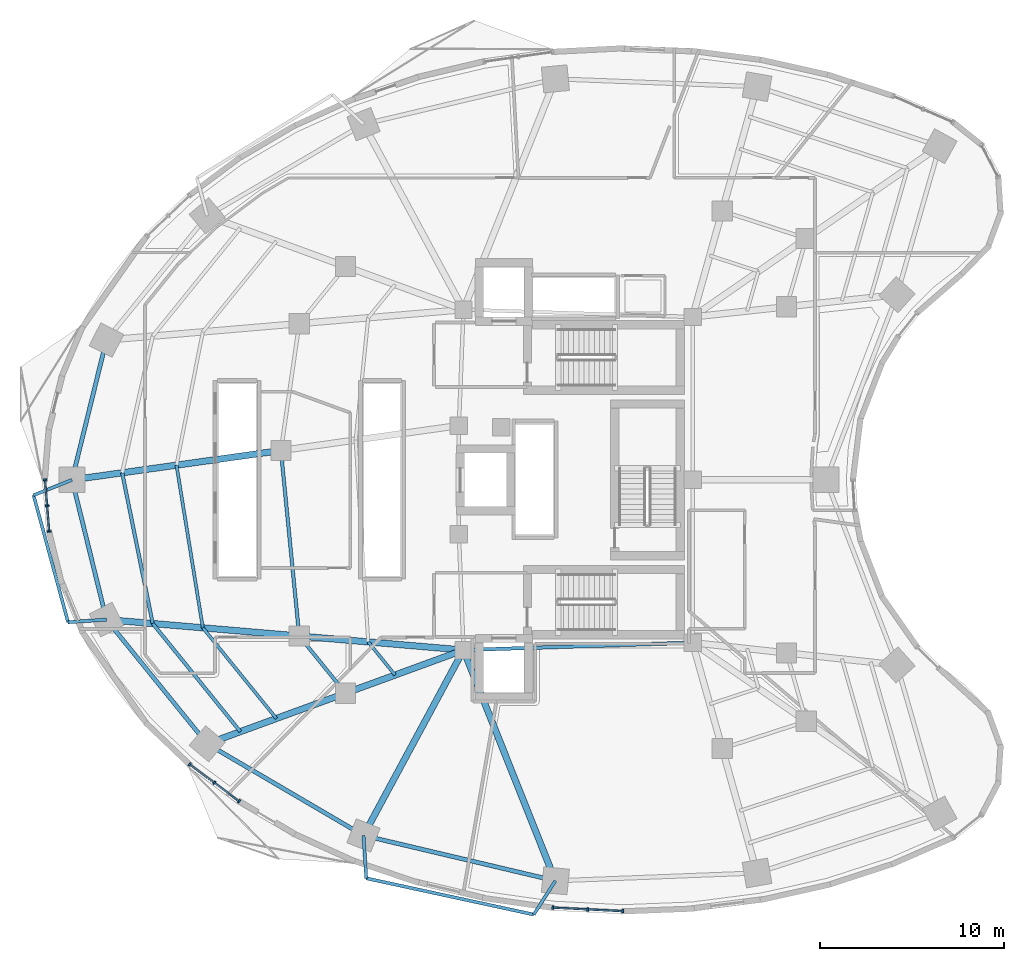
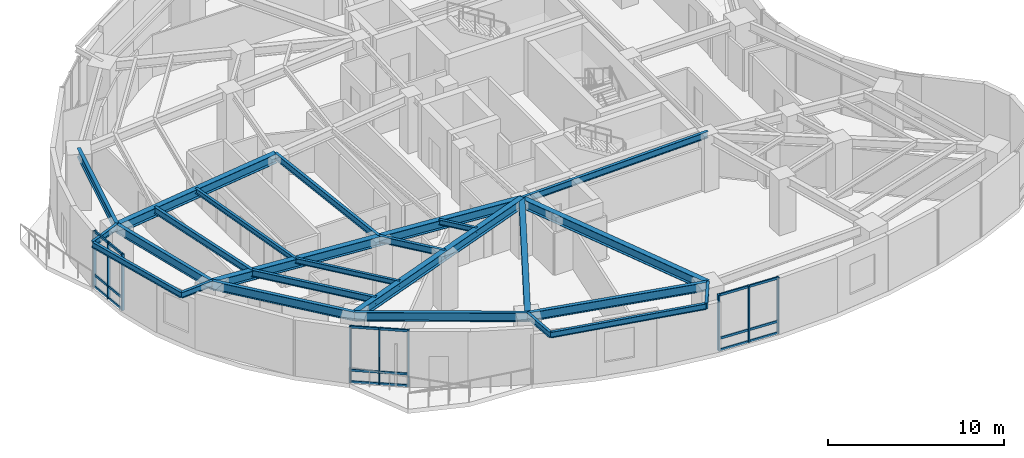
# One storey, part 2 of 14: 27 members, 26 beams, 3 elements without a shape of their own.
"""IFC4 building model written with IfcOpenShell, lengths in metres."""

from ifc_helpers import new_model, si_unit, direction, frame, origin, origin_2d, place, context, subcontext, project, spatial, rectangle, i_section, extrude, material, layer, layer_set, material_profile, profile_set, type_object, element, aggregate, save


model = new_model("IFC4")

# Units and contexts
model_context = context("Model", 3, precision=1e-05, world=origin(), true_north=direction((0.0, 1.0)))
body_context = subcontext(model_context, "Body", "Model", "MODEL_VIEW")
ifc_project = project(units=[si_unit("LENGTHUNIT", "METRE"), si_unit("AREAUNIT", "SQUARE_METRE"), si_unit("VOLUMEUNIT", "CUBIC_METRE"), si_unit("PLANEANGLEUNIT", "RADIAN"), si_unit("MASSUNIT", "GRAM", prefix="KILO")], contexts=[model_context])

# Site, building, storey
site_placement = place(None, origin())
site = spatial("IfcSite", under=ifc_project, at=site_placement, CompositionType="ELEMENT")
building_placement = place(site_placement, origin())
building = spatial("IfcBuilding", under=site, at=building_placement, Name="Korentha Bioscience Tower", CompositionType="ELEMENT")
storey_placement = place(building_placement, frame((0.0, 0.0, 51.0)))
storey = spatial("IfcBuildingStorey", under=building, at=storey_placement, Name="L11", CompositionType="ELEMENT", Elevation=51.0)

# Beams
ifc_material_1 = material(Name="Steel S355", Category="steel")
ifc_material_profile_1 = material_profile(ifc_material_1, i_section(OverallWidth=0.18994140625, OverallDepth=0.45703125, WebThickness=0.009033203125, FlangeThickness=0.014404296875, at=origin_2d()), Name="Steel S355")
ifc_profile_set_1 = profile_set([ifc_material_profile_1], Name="Steel S355 (MB-460)")
beam_type_1 = type_object("IfcBeamType", Name="Mid-Ring Tie Girder W460x74", PredefinedType="BEAM", material=ifc_profile_set_1)
beam_1_placement = place(storey_placement, frame((15.1787109375, 28.593505859375, 3.67138671875), z_axis=(0.098243909277, -0.995162365793, 0.0), x_axis=(0.995162365793, 0.098243909277, 0.0)))
element("IfcBeam", 1, at=beam_1_placement, inside=storey, type_object=beam_type_1, Name="L11 Mid-Ring Tie Girder 07", PredefinedType="BEAM", context=body_context, shape_type="SweptSolid", body=[
    extrude(i_section(OverallWidth=0.18994140625, OverallDepth=0.45703125, WebThickness=0.009033203125, FlangeThickness=0.014404296875, at=origin_2d()), origin(), (0.0, 0.0, 1.0), 10.131591796875),
])
beam_2_placement = place(storey_placement, frame((16.174072265625, 18.510986328125, 3.67138671875), z_axis=(0.629790009744, -0.776765436684, 0.0), x_axis=(0.776765436684, 0.629790009744, 0.0)))
element("IfcBeam", 2, at=beam_2_placement, inside=storey, type_object=beam_type_1, Name="L11 Mid-Ring Tie Girder 08", PredefinedType="BEAM", context=body_context, shape_type="SweptSolid", body=[
    extrude(i_section(OverallWidth=0.18994140625, OverallDepth=0.45703125, WebThickness=0.009033203125, FlangeThickness=0.014404296875, at=origin_2d()), origin(), (0.0, 0.0, 1.0), 3.998291015625),
])
beam_3_placement = place(storey_placement, frame((25.10009765625, 17.75, 3.67138671875), z_axis=(0.999484526071, 0.032104238723, 0.0), x_axis=(-0.032104238723, 0.999484526071, 0.0)))
element("IfcBeam", 3, at=beam_3_placement, inside=storey, type_object=beam_type_1, Name="L11 Core Ring Tie Girder 05", PredefinedType="BEAM", context=body_context, shape_type="SweptSolid", body=[
    extrude(i_section(OverallWidth=0.18994140625, OverallDepth=0.45703125, WebThickness=0.009033203125, FlangeThickness=0.014404296875, at=origin_2d()), origin(), (0.0, 0.0, 1.0), 12.456298828125),
])

# Curtain wall, members
ifc_material_2 = material(Name="Thermally Broken Aluminium Frame", Category="aluminium")
ifc_layer = layer(ifc_material_2, 0.219970703125, Name="Thermally Broken Aluminium Frame")
ifc_layer_set = layer_set([ifc_layer], Name="Thermally Broken Aluminium Frame (CW-T1)")
curtain_wall_type = type_object("IfcCurtainWallType", Name="Standard Bioscience Lab Unitised Curtain Wall CW-T1", PredefinedType="USERDEFINED", material=ifc_layer_set)
curtain_wall_1_placement = place(storey_placement, origin())
curtain_wall_1 = element("IfcCurtainWall", 4, at=curtain_wall_1_placement, inside=storey, type_object=curtain_wall_type, Name="L11 Curtain Wall 19", ObjectType="UNITISED", PredefinedType="USERDEFINED")
ifc_material_3 = material(Name="Anodised Aluminium 6063-T6", Category="aluminium")
ifc_material_profile_2 = material_profile(ifc_material_3, rectangle(XDim=0.090087890625, YDim=0.199951171875, at=origin_2d()), Name="Anodised Aluminium 6063-T6")
ifc_profile_set_2 = profile_set([ifc_material_profile_2], Name="Anodised Aluminium 6063-T6 (CW-MUL)")
member_type_1 = type_object("IfcMemberType", Name="Mullion RECT 90x200", PredefinedType="MULLION", material=ifc_profile_set_2)
member_1_placement = place(storey_placement, frame((2.35986328125, 27.0078125, 0.0), z_axis=(0.0, 0.0, 1.0), x_axis=(0.080820466375, -0.996728675325, 0.0)))
member_1 = element("IfcMember", 5, at=member_1_placement, type_object=member_type_1, Name="CW-L11-19 Mullion 1", PredefinedType="MULLION", context=body_context, shape_type="SweptSolid", body=[
    extrude(rectangle(XDim=0.090087890625, YDim=0.199951171875, at=origin_2d()), origin(), (0.0, 0.0, 1.0), 3.89990234375),
])
member_2_placement = place(storey_placement, frame((2.474365234375, 25.597412109375, 0.0), z_axis=(0.0, 0.0, 1.0), x_axis=(0.080820466375, -0.996728675325, 0.0)))
member_2 = element("IfcMember", 6, at=member_2_placement, type_object=member_type_1, Name="CW-L11-19 Mullion 2", PredefinedType="MULLION", context=body_context, shape_type="SweptSolid", body=[
    extrude(rectangle(XDim=0.090087890625, YDim=0.199951171875, at=origin_2d()), origin(), (0.0, 0.0, 1.0), 3.89990234375),
])
member_3_placement = place(storey_placement, frame((2.588623046875, 24.187255859375, 0.0), z_axis=(0.0, 0.0, 1.0), x_axis=(0.080820466375, -0.996728675325, 0.0)))
member_3 = element("IfcMember", 7, at=member_3_placement, type_object=member_type_1, Name="CW-L11-19 Mullion 3", PredefinedType="MULLION", context=body_context, shape_type="SweptSolid", body=[
    extrude(rectangle(XDim=0.090087890625, YDim=0.199951171875, at=origin_2d()), origin(), (0.0, 0.0, 1.0), 3.89990234375),
])

curtain_wall_2_placement = place(storey_placement, origin())
curtain_wall_2 = element("IfcCurtainWall", 8, at=curtain_wall_2_placement, inside=storey, type_object=curtain_wall_type, Name="L11 Curtain Wall 25", ObjectType="UNITISED", PredefinedType="USERDEFINED")
member_4_placement = place(storey_placement, frame((10.2216796875, 11.538818359375, 0.0), z_axis=(0.0, 0.0, 1.0), x_axis=(0.800797909614, -0.598934644145, 0.0)))
member_4 = element("IfcMember", 9, at=member_4_placement, type_object=member_type_1, Name="CW-L11-25 Mullion 1", PredefinedType="MULLION", context=body_context, shape_type="SweptSolid", body=[
    extrude(rectangle(XDim=0.090087890625, YDim=0.199951171875, at=origin_2d()), origin(), (0.0, 0.0, 1.0), 3.89990234375),
])
member_5_placement = place(storey_placement, frame((11.5634765625, 10.53515625, 0.0), z_axis=(0.0, 0.0, 1.0), x_axis=(0.800797909614, -0.598934644145, 0.0)))
member_5 = element("IfcMember", 10, at=member_5_placement, type_object=member_type_1, Name="CW-L11-25 Mullion 2", PredefinedType="MULLION", context=body_context, shape_type="SweptSolid", body=[
    extrude(rectangle(XDim=0.090087890625, YDim=0.199951171875, at=origin_2d()), origin(), (0.0, 0.0, 1.0), 3.89990234375),
])
member_6_placement = place(storey_placement, frame((12.9052734375, 9.53173828125, 0.0), z_axis=(0.0, 0.0, 1.0), x_axis=(0.800797909614, -0.598934644145, 0.0)))
member_6 = element("IfcMember", 11, at=member_6_placement, type_object=member_type_1, Name="CW-L11-25 Mullion 3", PredefinedType="MULLION", context=body_context, shape_type="SweptSolid", body=[
    extrude(rectangle(XDim=0.090087890625, YDim=0.199951171875, at=origin_2d()), origin(), (0.0, 0.0, 1.0), 3.89990234375),
])

curtain_wall_3_placement = place(storey_placement, origin())
curtain_wall_3 = element("IfcCurtainWall", 12, at=curtain_wall_3_placement, inside=storey, type_object=curtain_wall_type, Name="L11 Curtain Wall 31", ObjectType="UNITISED", PredefinedType="USERDEFINED")
member_7_placement = place(storey_placement, frame((29.9541015625, 3.75244140625, 0.0), z_axis=(0.0, 0.0, 1.0), x_axis=(0.998730551641, -0.050371472279, 0.0)))
member_7 = element("IfcMember", 13, at=member_7_placement, type_object=member_type_1, Name="CW-L11-31 Mullion 1", PredefinedType="MULLION", context=body_context, shape_type="SweptSolid", body=[
    extrude(rectangle(XDim=0.090087890625, YDim=0.199951171875, at=origin_2d()), origin(), (0.0, 0.0, 1.0), 3.89990234375),
])
member_8_placement = place(storey_placement, frame((31.855224609375, 3.656494140625, 0.0), z_axis=(0.0, 0.0, 1.0), x_axis=(0.998730551641, -0.050371472279, 0.0)))
member_8 = element("IfcMember", 14, at=member_8_placement, type_object=member_type_1, Name="CW-L11-31 Mullion 2", PredefinedType="MULLION", context=body_context, shape_type="SweptSolid", body=[
    extrude(rectangle(XDim=0.090087890625, YDim=0.199951171875, at=origin_2d()), origin(), (0.0, 0.0, 1.0), 3.89990234375),
])
member_9_placement = place(storey_placement, frame((33.75634765625, 3.560791015625, 0.0), z_axis=(0.0, 0.0, 1.0), x_axis=(0.998730551641, -0.050371472279, 0.0)))
member_9 = element("IfcMember", 15, at=member_9_placement, type_object=member_type_1, Name="CW-L11-31 Mullion 3", PredefinedType="MULLION", context=body_context, shape_type="SweptSolid", body=[
    extrude(rectangle(XDim=0.090087890625, YDim=0.199951171875, at=origin_2d()), origin(), (0.0, 0.0, 1.0), 3.89990234375),
])

# Beams
ifc_material_profile_3 = material_profile(ifc_material_1, i_section(OverallWidth=0.22802734375, OverallDepth=0.60791015625, WebThickness=0.01123046875, FlangeThickness=0.017333984375, at=origin_2d()), Name="Steel S355")
ifc_profile_set_3 = profile_set([ifc_material_profile_3], Name="Steel S355 (SB-610)")
beam_type_2 = type_object("IfcBeamType", Name="Perimeter Ring Spandrel Girder W610x113", PredefinedType="SPANDREL", material=ifc_profile_set_3)
beam_4_placement = place(storey_placement, frame((5.69580078125, 34.595703125, 3.595947265625), z_axis=(-0.239119105624, -0.970990243682, 0.0), x_axis=(0.970990243682, -0.239119105624, 0.0)))
element("IfcBeam", 16, at=beam_4_placement, inside=storey, type_object=beam_type_2, Name="L11 Perimeter Spandrel Girder 06", PredefinedType="SPANDREL", context=body_context, shape_type="SweptSolid", body=[
    extrude(i_section(OverallWidth=0.22802734375, OverallDepth=0.60791015625, WebThickness=0.01123046875, FlangeThickness=0.017333984375, at=origin_2d()), origin(), (0.0, 0.0, 1.0), 7.82177734375),
])
beam_5_placement = place(storey_placement, frame((3.825439453125, 27.000732421875, 3.595947265625), z_axis=(0.23907563132, -0.971000948768, 0.0), x_axis=(0.971000948768, 0.23907563132, 0.0)))
element("IfcBeam", 17, at=beam_5_placement, inside=storey, type_object=beam_type_2, Name="L11 Perimeter Spandrel Girder 07", PredefinedType="SPANDREL", context=body_context, shape_type="SweptSolid", body=[
    extrude(i_section(OverallWidth=0.22802734375, OverallDepth=0.60791015625, WebThickness=0.01123046875, FlangeThickness=0.017333984375, at=origin_2d()), origin(), (0.0, 0.0, 1.0), 7.8232421875),
])
beam_6_placement = place(storey_placement, frame((5.69580078125, 19.404296875, 3.595947265625), z_axis=(0.629799210231, -0.776757976974, 0.0), x_axis=(0.776757976974, 0.629799210231, 0.0)))
element("IfcBeam", 18, at=beam_6_placement, inside=storey, type_object=beam_type_2, Name="L11 Perimeter Spandrel Girder 08", PredefinedType="SPANDREL", context=body_context, shape_type="SweptSolid", body=[
    extrude(i_section(OverallWidth=0.22802734375, OverallDepth=0.60791015625, WebThickness=0.01123046875, FlangeThickness=0.017333984375, at=origin_2d()), origin(), (0.0, 0.0, 1.0), 8.69189453125),
])
beam_7_placement = place(storey_placement, frame((11.169921875, 12.65283203125, 3.595947265625), z_axis=(0.862656574181, -0.505790109653, 0.0), x_axis=(0.505790109653, 0.862656574181, 0.0)))
element("IfcBeam", 19, at=beam_7_placement, inside=storey, type_object=beam_type_2, Name="L11 Perimeter Spandrel Girder 09", PredefinedType="SPANDREL", context=body_context, shape_type="SweptSolid", body=[
    extrude(i_section(OverallWidth=0.22802734375, OverallDepth=0.60791015625, WebThickness=0.01123046875, FlangeThickness=0.017333984375, at=origin_2d()), origin(), (0.0, 0.0, 1.0), 9.849365234375),
])
beam_8_placement = place(storey_placement, frame((19.66650390625, 7.671142578125, 3.595947265625), z_axis=(0.973207885376, -0.229926970672, 0.0), x_axis=(0.229926970672, 0.973207885376, 0.0)))
element("IfcBeam", 20, at=beam_8_placement, inside=storey, type_object=beam_type_2, Name="L11 Perimeter Spandrel Girder 10", PredefinedType="SPANDREL", context=body_context, shape_type="SweptSolid", body=[
    extrude(i_section(OverallWidth=0.22802734375, OverallDepth=0.60791015625, WebThickness=0.01123046875, FlangeThickness=0.017333984375, at=origin_2d()), origin(), (0.0, 0.0, 1.0), 10.71484375),
])
ifc_material_profile_4 = material_profile(ifc_material_1, i_section(OverallWidth=0.18994140625, OverallDepth=0.45703125, WebThickness=0.009033203125, FlangeThickness=0.014404296875, at=origin_2d()), Name="Steel S355")
ifc_profile_set_4 = profile_set([ifc_material_profile_4], Name="Steel S355 (RB-460)")
beam_type_3 = type_object("IfcBeamType", Name="Radial Laboratory Beam W460x74", PredefinedType="BEAM", material=ifc_profile_set_4)
beam_9_placement = place(storey_placement, frame((6.55029296875, 27.383056640625, 3.67138671875), z_axis=(0.198592296955, -0.980082190222, 0.0), x_axis=(0.980082190222, 0.198592296955, 0.0)))
element("IfcBeam", 21, at=beam_9_placement, inside=storey, type_object=beam_type_3, Name="L11 Secondary Floor Beam JSTO-07", PredefinedType="BEAM", context=body_context, shape_type="SweptSolid", body=[
    extrude(i_section(OverallWidth=0.18994140625, OverallDepth=0.45703125, WebThickness=0.009033203125, FlangeThickness=0.014404296875, at=origin_2d()), origin(), (0.0, 0.0, 1.0), 8.359619140625),
])
beam_10_placement = place(storey_placement, frame((8.21044921875, 19.18994140625, 3.67138671875), z_axis=(0.629797748553, -0.776759162107, 0.0), x_axis=(0.776759162107, 0.629797748553, 0.0)))
element("IfcBeam", 22, at=beam_10_placement, inside=storey, type_object=beam_type_3, Name="L11 Secondary Floor Beam JSTO-08", PredefinedType="BEAM", context=body_context, shape_type="SweptSolid", body=[
    extrude(i_section(OverallWidth=0.18994140625, OverallDepth=0.45703125, WebThickness=0.009033203125, FlangeThickness=0.014404296875, at=origin_2d()), origin(), (0.0, 0.0, 1.0), 7.5654296875),
])
ifc_material_profile_5 = material_profile(ifc_material_1, i_section(OverallWidth=0.35009765625, OverallDepth=0.64990234375, WebThickness=0.01611328125, FlangeThickness=0.02490234375, at=origin_2d()), Name="Steel S355")
ifc_profile_set_5 = profile_set([ifc_material_profile_5], Name="Steel S355 (RB-650)")
beam_type_4 = type_object("IfcBeamType", Name="Radial Laboratory Girder CVS 650x208", PredefinedType="BEAM", material=ifc_profile_set_5)
beam_11_placement = place(storey_placement, frame((15.1787109375, 28.593505859375, 3.574951171875), z_axis=(-0.99030199745, -0.138931471762, 0.0), x_axis=(0.138931471762, -0.99030199745, 0.0)))
element("IfcBeam", 23, at=beam_11_placement, inside=storey, type_object=beam_type_4, Name="L11 Outer Radial Girder 07", PredefinedType="BEAM", context=body_context, shape_type="SweptSolid", body=[
    extrude(i_section(OverallWidth=0.35009765625, OverallDepth=0.64990234375, WebThickness=0.01611328125, FlangeThickness=0.02490234375, at=origin_2d()), origin(), (0.0, 0.0, 1.0), 11.46435546875),
])
beam_12_placement = place(storey_placement, frame((25.10009765625, 17.75, 3.574951171875), z_axis=(-0.996385503026, 0.08494662654, 0.0), x_axis=(-0.08494662654, -0.996385503026, 0.0)))
element("IfcBeam", 24, at=beam_12_placement, inside=storey, type_object=beam_type_4, Name="L11 Inner Radial Girder 08", PredefinedType="BEAM", context=body_context, shape_type="SweptSolid", body=[
    extrude(i_section(OverallWidth=0.35009765625, OverallDepth=0.64990234375, WebThickness=0.01611328125, FlangeThickness=0.02490234375, at=origin_2d()), origin(), (0.0, 0.0, 1.0), 8.95849609375),
])
beam_13_placement = place(storey_placement, frame((16.174072265625, 18.510986328125, 3.574951171875), z_axis=(-0.996385601055, 0.084945476695, 0.0), x_axis=(-0.084945476695, -0.996385601055, 0.0)))
element("IfcBeam", 25, at=beam_13_placement, inside=storey, type_object=beam_type_4, Name="L11 Outer Radial Girder 08", PredefinedType="BEAM", context=body_context, shape_type="SweptSolid", body=[
    extrude(i_section(OverallWidth=0.35009765625, OverallDepth=0.64990234375, WebThickness=0.01611328125, FlangeThickness=0.02490234375, at=origin_2d()), origin(), (0.0, 0.0, 1.0), 10.516357421875),
])
beam_14_placement = place(storey_placement, frame((25.10009765625, 17.75, 3.574951171875), z_axis=(-0.939106237741, -0.343626940498, 0.0), x_axis=(0.343626940498, -0.939106237741, 0.0)))
element("IfcBeam", 26, at=beam_14_placement, inside=storey, type_object=beam_type_4, Name="L11 Inner Radial Girder 09", PredefinedType="BEAM", context=body_context, shape_type="SweptSolid", body=[
    extrude(i_section(OverallWidth=0.35009765625, OverallDepth=0.64990234375, WebThickness=0.01611328125, FlangeThickness=0.02490234375, at=origin_2d()), origin(), (0.0, 0.0, 1.0), 6.823486328125),
])
beam_15_placement = place(storey_placement, frame((18.692138671875, 15.4052734375, 3.574951171875), z_axis=(-0.939106299948, -0.343626770491, 0.0), x_axis=(0.343626770491, -0.939106299948, 0.0)))
element("IfcBeam", 27, at=beam_15_placement, inside=storey, type_object=beam_type_4, Name="L11 Outer Radial Girder 09", PredefinedType="BEAM", context=body_context, shape_type="SweptSolid", body=[
    extrude(i_section(OverallWidth=0.35009765625, OverallDepth=0.64990234375, WebThickness=0.01611328125, FlangeThickness=0.02490234375, at=origin_2d()), origin(), (0.0, 0.0, 1.0), 8.010009765625),
])
beam_16_placement = place(storey_placement, frame((25.10009765625, 17.75, 3.574951171875), z_axis=(-0.47454097106, -0.880233416081, 0.0), x_axis=(0.880233416081, -0.47454097106, 0.0)))
element("IfcBeam", 28, at=beam_16_placement, inside=storey, type_object=beam_type_4, Name="L11 Radial Girder 10", PredefinedType="BEAM", context=body_context, shape_type="SweptSolid", body=[
    extrude(i_section(OverallWidth=0.35009765625, OverallDepth=0.64990234375, WebThickness=0.01611328125, FlangeThickness=0.02490234375, at=origin_2d()), origin(), (0.0, 0.0, 1.0), 11.4501953125),
])
beam_17_placement = place(storey_placement, frame((25.10009765625, 17.75, 3.574951171875), z_axis=(0.369931007413, -0.929059228335, 0.0), x_axis=(0.929059228335, 0.369931007413, 0.0)))
element("IfcBeam", 29, at=beam_17_placement, inside=storey, type_object=beam_type_4, Name="L11 Radial Girder 11", PredefinedType="BEAM", context=body_context, shape_type="SweptSolid", body=[
    extrude(i_section(OverallWidth=0.35009765625, OverallDepth=0.64990234375, WebThickness=0.01611328125, FlangeThickness=0.02490234375, at=origin_2d()), origin(), (0.0, 0.0, 1.0), 13.500244140625),
])
ifc_material_profile_6 = material_profile(ifc_material_1, i_section(OverallWidth=0.1708984375, OverallDepth=0.35498046875, WebThickness=0.007080078125, FlangeThickness=0.01171875, at=origin_2d()), Name="Steel S355")
ifc_profile_set_6 = profile_set([ifc_material_profile_6], Name="Steel S355 (JB-360)")
beam_type_5 = type_object("IfcBeamType", Name="Secondary Laboratory Joist W360x51", PredefinedType="JOIST", material=ifc_profile_set_6)
beam_18_placement = place(storey_placement, frame((9.502197265625, 27.797119140625, 3.722412109375), z_axis=(0.159984999905, -0.987119445561, 0.0), x_axis=(0.987119445561, 0.159984999905, 0.0)))
element("IfcBeam", 30, at=beam_18_placement, inside=storey, type_object=beam_type_5, Name="L11 Secondary Floor Beam JST-07", PredefinedType="JOIST", context=body_context, shape_type="SweptSolid", body=[
    extrude(i_section(OverallWidth=0.1708984375, OverallDepth=0.35498046875, WebThickness=0.007080078125, FlangeThickness=0.01171875, at=origin_2d()), origin(), (0.0, 0.0, 1.0), 8.95458984375),
])
beam_19_placement = place(storey_placement, frame((10.934814453125, 18.957763671875, 3.722412109375), z_axis=(0.629786899984, -0.776767958021, 0.0), x_axis=(0.776767958021, 0.629786899984, 0.0)))
element("IfcBeam", 31, at=beam_19_placement, inside=storey, type_object=beam_type_5, Name="L11 Secondary Floor Beam JST-08", PredefinedType="JOIST", context=body_context, shape_type="SweptSolid", body=[
    extrude(i_section(OverallWidth=0.1708984375, OverallDepth=0.35498046875, WebThickness=0.007080078125, FlangeThickness=0.01171875, at=origin_2d()), origin(), (0.0, 0.0, 1.0), 6.34521484375),
])
beam_20_placement = place(storey_placement, frame((19.9228515625, 18.19140625, 3.722412109375), z_axis=(0.629791657613, -0.776764100613, 0.0), x_axis=(0.776764100613, 0.629791657613, 0.0)))
element("IfcBeam", 32, at=beam_20_placement, inside=storey, type_object=beam_type_5, Name="L11 Inner Bay Joist 08", PredefinedType="JOIST", context=body_context, shape_type="SweptSolid", body=[
    extrude(i_section(OverallWidth=0.1708984375, OverallDepth=0.35498046875, WebThickness=0.007080078125, FlangeThickness=0.01171875, at=origin_2d()), origin(), (0.0, 0.0, 1.0), 2.31884765625),
])
ifc_material_profile_7 = material_profile(ifc_material_1, i_section(OverallWidth=0.177978515625, OverallDepth=0.406982421875, WebThickness=0.0078125, FlangeThickness=0.0126953125, at=origin_2d()), Name="Steel S355")
ifc_profile_set_7 = profile_set([ifc_material_profile_7], Name="Steel S355 (CB-410)")
beam_type_6 = type_object("IfcBeamType", Name="Sun-Ledge Cantilever Beam W410x60", PredefinedType="BEAM", material=ifc_profile_set_7)
beam_21_placement = place(storey_placement, frame((3.825439453125, 27.000732421875, 3.698486328125), z_axis=(-0.928379434426, -0.37163372524, 0.0), x_axis=(0.37163372524, -0.928379434426, 0.0)))
element("IfcBeam", 33, at=beam_21_placement, inside=storey, type_object=beam_type_6, Name="L11 Balcony Cantilever Bracket A-L12-02", PredefinedType="BEAM", context=body_context, shape_type="SweptSolid", body=[
    extrude(i_section(OverallWidth=0.177978515625, OverallDepth=0.406982421875, WebThickness=0.0078125, FlangeThickness=0.0126953125, at=origin_2d()), origin(), (0.0, 0.0, 1.0), 2.251220703125),
])
beam_22_placement = place(storey_placement, frame((5.69580078125, 19.404296875, 3.698486328125), z_axis=(-0.997660928034, -0.068356950445, 0.0), x_axis=(0.068356950445, -0.997660928034, 0.0)))
element("IfcBeam", 34, at=beam_22_placement, inside=storey, type_object=beam_type_6, Name="L11 Balcony Cantilever Bracket B-L12-02", PredefinedType="BEAM", context=body_context, shape_type="SweptSolid", body=[
    extrude(i_section(OverallWidth=0.177978515625, OverallDepth=0.406982421875, WebThickness=0.0078125, FlangeThickness=0.0126953125, at=origin_2d()), origin(), (0.0, 0.0, 1.0), 2.08935546875),
])
beam_23_placement = place(storey_placement, frame((1.7353515625, 26.1640625, 3.698486328125), z_axis=(0.262265332065, -0.964995800818, 0.0), x_axis=(0.964995800818, 0.262265332065, 0.0)))
element("IfcBeam", 35, at=beam_23_placement, inside=storey, type_object=beam_type_6, Name="L11 Balcony Edge Trimmer Beam L12-02", PredefinedType="BEAM", context=body_context, shape_type="SweptSolid", body=[
    extrude(i_section(OverallWidth=0.177978515625, OverallDepth=0.406982421875, WebThickness=0.0078125, FlangeThickness=0.0126953125, at=origin_2d()), origin(), (0.0, 0.0, 1.0), 7.153076171875),
])
beam_24_placement = place(storey_placement, frame((19.66650390625, 7.671142578125, 3.698486328125), z_axis=(0.064092946504, -0.997943933399, 0.0), x_axis=(0.997943933399, 0.064092946504, 0.0)))
element("IfcBeam", 36, at=beam_24_placement, inside=storey, type_object=beam_type_6, Name="L11 Balcony Cantilever Bracket A-L12-03", PredefinedType="BEAM", context=body_context, shape_type="SweptSolid", body=[
    extrude(i_section(OverallWidth=0.177978515625, OverallDepth=0.406982421875, WebThickness=0.0078125, FlangeThickness=0.0126953125, at=origin_2d()), origin(), (0.0, 0.0, 1.0), 2.331298828125),
])
beam_25_placement = place(storey_placement, frame((30.09423828125, 5.20751953125, 3.698486328125), z_axis=(-0.539323950512, -0.842098376916, 0.0), x_axis=(0.842098376916, -0.539323950512, 0.0)))
element("IfcBeam", 37, at=beam_25_placement, inside=storey, type_object=beam_type_6, Name="L11 Balcony Cantilever Bracket B-L12-03", PredefinedType="BEAM", context=body_context, shape_type="SweptSolid", body=[
    extrude(i_section(OverallWidth=0.177978515625, OverallDepth=0.406982421875, WebThickness=0.0078125, FlangeThickness=0.0126953125, at=origin_2d()), origin(), (0.0, 0.0, 1.0), 2.1787109375),
])
beam_26_placement = place(storey_placement, frame((19.81591796875, 5.3447265625, 3.698486328125), z_axis=(0.977333174115, -0.211707030529, 0.0), x_axis=(0.211707030529, 0.977333174115, 0.0)))
element("IfcBeam", 38, at=beam_26_placement, inside=storey, type_object=beam_type_6, Name="L11 Balcony Edge Trimmer Beam L12-03", PredefinedType="BEAM", context=body_context, shape_type="SweptSolid", body=[
    extrude(i_section(OverallWidth=0.177978515625, OverallDepth=0.406982421875, WebThickness=0.0078125, FlangeThickness=0.0126953125, at=origin_2d()), origin(), (0.0, 0.0, 1.0), 9.314453125),
])

# Member
ifc_material_profile_8 = material_profile(ifc_material_3, rectangle(XDim=0.090087890625, YDim=0.159912109375, at=origin_2d()), Name="Anodised Aluminium 6063-T6")
ifc_profile_set_8 = profile_set([ifc_material_profile_8], Name="Anodised Aluminium 6063-T6 (CW-TRN)")
member_type_2 = type_object("IfcMemberType", Name="Transom RECT 90x160", PredefinedType="USERDEFINED", material=ifc_profile_set_8)
member_10_placement = place(storey_placement, frame((2.363525390625, 26.963134765625, 0.044921875), z_axis=(0.080880177847, -0.996723831777, 0.0), x_axis=(0.996723831777, 0.080880177847, 0.0)))
member_10 = element("IfcMember", 39, at=member_10_placement, type_object=member_type_2, Name="CW-L11-19 Bay 1 Transom 1", ObjectType="TRANSOM", PredefinedType="USERDEFINED", context=body_context, shape_type="SweptSolid", body=[
    extrude(rectangle(XDim=0.090087890625, YDim=0.159912109375, at=origin_2d()), origin(), (0.0, 0.0, 1.0), 1.3251953125),
])

member_11_placement = place(storey_placement, frame((2.363525390625, 26.963134765625, 0.85009765625), z_axis=(0.080880177847, -0.996723831777, 0.0), x_axis=(0.996723831777, 0.080880177847, 0.0)))
member_11 = element("IfcMember", 40, at=member_11_placement, type_object=member_type_2, Name="CW-L11-19 Bay 1 Transom 2", ObjectType="TRANSOM", PredefinedType="USERDEFINED", context=body_context, shape_type="SweptSolid", body=[
    extrude(rectangle(XDim=0.090087890625, YDim=0.159912109375, at=origin_2d()), origin(), (0.0, 0.0, 1.0), 1.3251953125),
])

member_12_placement = place(storey_placement, frame((2.363525390625, 26.963134765625, 3.85498046875), z_axis=(0.080880177847, -0.996723831777, 0.0), x_axis=(0.996723831777, 0.080880177847, 0.0)))
member_12 = element("IfcMember", 41, at=member_12_placement, type_object=member_type_2, Name="CW-L11-19 Bay 1 Transom 3", ObjectType="TRANSOM", PredefinedType="USERDEFINED", context=body_context, shape_type="SweptSolid", body=[
    extrude(rectangle(XDim=0.090087890625, YDim=0.159912109375, at=origin_2d()), origin(), (0.0, 0.0, 1.0), 1.3251953125),
])

member_13_placement = place(storey_placement, frame((2.477783203125, 25.552734375, 0.044921875), z_axis=(0.080880177847, -0.996723831777, 0.0), x_axis=(0.996723831777, 0.080880177847, 0.0)))
member_13 = element("IfcMember", 42, at=member_13_placement, type_object=member_type_2, Name="CW-L11-19 Bay 2 Transom 1", ObjectType="TRANSOM", PredefinedType="USERDEFINED", context=body_context, shape_type="SweptSolid", body=[
    extrude(rectangle(XDim=0.090087890625, YDim=0.159912109375, at=origin_2d()), origin(), (0.0, 0.0, 1.0), 1.3251953125),
])

member_14_placement = place(storey_placement, frame((2.477783203125, 25.552734375, 0.85009765625), z_axis=(0.080880177847, -0.996723831777, 0.0), x_axis=(0.996723831777, 0.080880177847, 0.0)))
member_14 = element("IfcMember", 43, at=member_14_placement, type_object=member_type_2, Name="CW-L11-19 Bay 2 Transom 2", ObjectType="TRANSOM", PredefinedType="USERDEFINED", context=body_context, shape_type="SweptSolid", body=[
    extrude(rectangle(XDim=0.090087890625, YDim=0.159912109375, at=origin_2d()), origin(), (0.0, 0.0, 1.0), 1.3251953125),
])

member_15_placement = place(storey_placement, frame((2.477783203125, 25.552734375, 3.85498046875), z_axis=(0.080880177847, -0.996723831777, 0.0), x_axis=(0.996723831777, 0.080880177847, 0.0)))
member_15 = element("IfcMember", 44, at=member_15_placement, type_object=member_type_2, Name="CW-L11-19 Bay 2 Transom 3", ObjectType="TRANSOM", PredefinedType="USERDEFINED", context=body_context, shape_type="SweptSolid", body=[
    extrude(rectangle(XDim=0.090087890625, YDim=0.159912109375, at=origin_2d()), origin(), (0.0, 0.0, 1.0), 1.3251953125),
])

aggregate(curtain_wall_1, [member_1, member_2, member_3, member_10, member_11, member_12, member_13, member_14, member_15])

member_16_placement = place(storey_placement, frame((10.2578125, 11.51171875, 0.044921875), z_axis=(0.8008676283, -0.598841416354, 0.0), x_axis=(0.598841416354, 0.8008676283, 0.0)))
member_16 = element("IfcMember", 45, at=member_16_placement, type_object=member_type_2, Name="CW-L11-25 Bay 1 Transom 1", ObjectType="TRANSOM", PredefinedType="USERDEFINED", context=body_context, shape_type="SweptSolid", body=[
    extrude(rectangle(XDim=0.090087890625, YDim=0.159912109375, at=origin_2d()), origin(), (0.0, 0.0, 1.0), 1.58544921875),
])

member_17_placement = place(storey_placement, frame((10.2578125, 11.51171875, 0.85009765625), z_axis=(0.8008676283, -0.598841416354, 0.0), x_axis=(0.598841416354, 0.8008676283, 0.0)))
member_17 = element("IfcMember", 46, at=member_17_placement, type_object=member_type_2, Name="CW-L11-25 Bay 1 Transom 2", ObjectType="TRANSOM", PredefinedType="USERDEFINED", context=body_context, shape_type="SweptSolid", body=[
    extrude(rectangle(XDim=0.090087890625, YDim=0.159912109375, at=origin_2d()), origin(), (0.0, 0.0, 1.0), 1.58544921875),
])

member_18_placement = place(storey_placement, frame((10.2578125, 11.51171875, 3.85498046875), z_axis=(0.8008676283, -0.598841416354, 0.0), x_axis=(0.598841416354, 0.8008676283, 0.0)))
member_18 = element("IfcMember", 47, at=member_18_placement, type_object=member_type_2, Name="CW-L11-25 Bay 1 Transom 3", ObjectType="TRANSOM", PredefinedType="USERDEFINED", context=body_context, shape_type="SweptSolid", body=[
    extrude(rectangle(XDim=0.090087890625, YDim=0.159912109375, at=origin_2d()), origin(), (0.0, 0.0, 1.0), 1.58544921875),
])

member_19_placement = place(storey_placement, frame((11.599609375, 10.50830078125, 0.044921875), z_axis=(0.800738536228, -0.59901402037, 0.0), x_axis=(0.59901402037, 0.800738536228, 0.0)))
member_19 = element("IfcMember", 48, at=member_19_placement, type_object=member_type_2, Name="CW-L11-25 Bay 2 Transom 1", ObjectType="TRANSOM", PredefinedType="USERDEFINED", context=body_context, shape_type="SweptSolid", body=[
    extrude(rectangle(XDim=0.090087890625, YDim=0.159912109375, at=origin_2d()), origin(), (0.0, 0.0, 1.0), 1.58544921875),
])

member_20_placement = place(storey_placement, frame((11.599609375, 10.50830078125, 0.85009765625), z_axis=(0.800738536228, -0.59901402037, 0.0), x_axis=(0.59901402037, 0.800738536228, 0.0)))
member_20 = element("IfcMember", 49, at=member_20_placement, type_object=member_type_2, Name="CW-L11-25 Bay 2 Transom 2", ObjectType="TRANSOM", PredefinedType="USERDEFINED", context=body_context, shape_type="SweptSolid", body=[
    extrude(rectangle(XDim=0.090087890625, YDim=0.159912109375, at=origin_2d()), origin(), (0.0, 0.0, 1.0), 1.58544921875),
])

member_21_placement = place(storey_placement, frame((11.599609375, 10.50830078125, 3.85498046875), z_axis=(0.800738536228, -0.59901402037, 0.0), x_axis=(0.59901402037, 0.800738536228, 0.0)))
member_21 = element("IfcMember", 50, at=member_21_placement, type_object=member_type_2, Name="CW-L11-25 Bay 2 Transom 3", ObjectType="TRANSOM", PredefinedType="USERDEFINED", context=body_context, shape_type="SweptSolid", body=[
    extrude(rectangle(XDim=0.090087890625, YDim=0.159912109375, at=origin_2d()), origin(), (0.0, 0.0, 1.0), 1.58544921875),
])

aggregate(curtain_wall_2, [member_4, member_5, member_6, member_16, member_17, member_18, member_19, member_20, member_21])

member_22_placement = place(storey_placement, frame((29.9990234375, 3.750244140625, 0.044921875), z_axis=(0.998731776836, -0.050347174085, 0.0), x_axis=(0.050347174085, 0.998731776836, 0.0)))
member_22 = element("IfcMember", 51, at=member_22_placement, type_object=member_type_2, Name="CW-L11-31 Bay 1 Transom 1", ObjectType="TRANSOM", PredefinedType="USERDEFINED", context=body_context, shape_type="SweptSolid", body=[
    extrude(rectangle(XDim=0.090087890625, YDim=0.159912109375, at=origin_2d()), origin(), (0.0, 0.0, 1.0), 1.8134765625),
])

member_23_placement = place(storey_placement, frame((29.9990234375, 3.750244140625, 0.85009765625), z_axis=(0.998731776836, -0.050347174085, 0.0), x_axis=(0.050347174085, 0.998731776836, 0.0)))
member_23 = element("IfcMember", 52, at=member_23_placement, type_object=member_type_2, Name="CW-L11-31 Bay 1 Transom 2", ObjectType="TRANSOM", PredefinedType="USERDEFINED", context=body_context, shape_type="SweptSolid", body=[
    extrude(rectangle(XDim=0.090087890625, YDim=0.159912109375, at=origin_2d()), origin(), (0.0, 0.0, 1.0), 1.8134765625),
])

member_24_placement = place(storey_placement, frame((29.9990234375, 3.750244140625, 3.85498046875), z_axis=(0.998731776836, -0.050347174085, 0.0), x_axis=(0.050347174085, 0.998731776836, 0.0)))
member_24 = element("IfcMember", 53, at=member_24_placement, type_object=member_type_2, Name="CW-L11-31 Bay 1 Transom 3", ObjectType="TRANSOM", PredefinedType="USERDEFINED", context=body_context, shape_type="SweptSolid", body=[
    extrude(rectangle(XDim=0.090087890625, YDim=0.159912109375, at=origin_2d()), origin(), (0.0, 0.0, 1.0), 1.8134765625),
])

member_25_placement = place(storey_placement, frame((31.900146484375, 3.654296875, 0.044921875), z_axis=(0.998731776836, -0.050347174085, 0.0), x_axis=(0.050347174085, 0.998731776836, 0.0)))
member_25 = element("IfcMember", 54, at=member_25_placement, type_object=member_type_2, Name="CW-L11-31 Bay 2 Transom 1", ObjectType="TRANSOM", PredefinedType="USERDEFINED", context=body_context, shape_type="SweptSolid", body=[
    extrude(rectangle(XDim=0.090087890625, YDim=0.159912109375, at=origin_2d()), origin(), (0.0, 0.0, 1.0), 1.8134765625),
])

member_26_placement = place(storey_placement, frame((31.900146484375, 3.654296875, 0.85009765625), z_axis=(0.998731776836, -0.050347174085, 0.0), x_axis=(0.050347174085, 0.998731776836, 0.0)))
member_26 = element("IfcMember", 55, at=member_26_placement, type_object=member_type_2, Name="CW-L11-31 Bay 2 Transom 2", ObjectType="TRANSOM", PredefinedType="USERDEFINED", context=body_context, shape_type="SweptSolid", body=[
    extrude(rectangle(XDim=0.090087890625, YDim=0.159912109375, at=origin_2d()), origin(), (0.0, 0.0, 1.0), 1.8134765625),
])

member_27_placement = place(storey_placement, frame((31.900146484375, 3.654296875, 3.85498046875), z_axis=(0.998731776836, -0.050347174085, 0.0), x_axis=(0.050347174085, 0.998731776836, 0.0)))
member_27 = element("IfcMember", 56, at=member_27_placement, type_object=member_type_2, Name="CW-L11-31 Bay 2 Transom 3", ObjectType="TRANSOM", PredefinedType="USERDEFINED", context=body_context, shape_type="SweptSolid", body=[
    extrude(rectangle(XDim=0.090087890625, YDim=0.159912109375, at=origin_2d()), origin(), (0.0, 0.0, 1.0), 1.8134765625),
])

aggregate(curtain_wall_3, [member_7, member_8, member_9, member_22, member_23, member_24, member_25, member_26, member_27])

save(model, "model.ifc")
